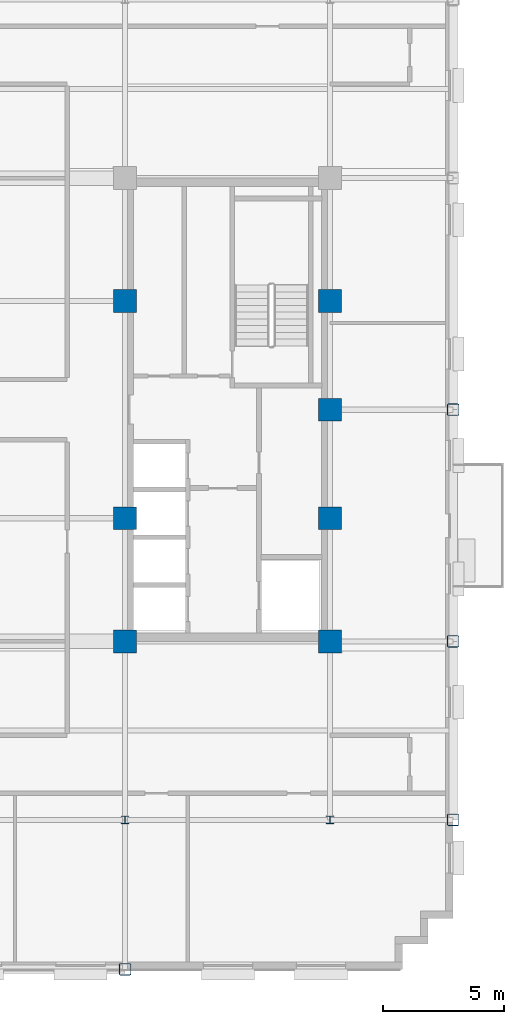
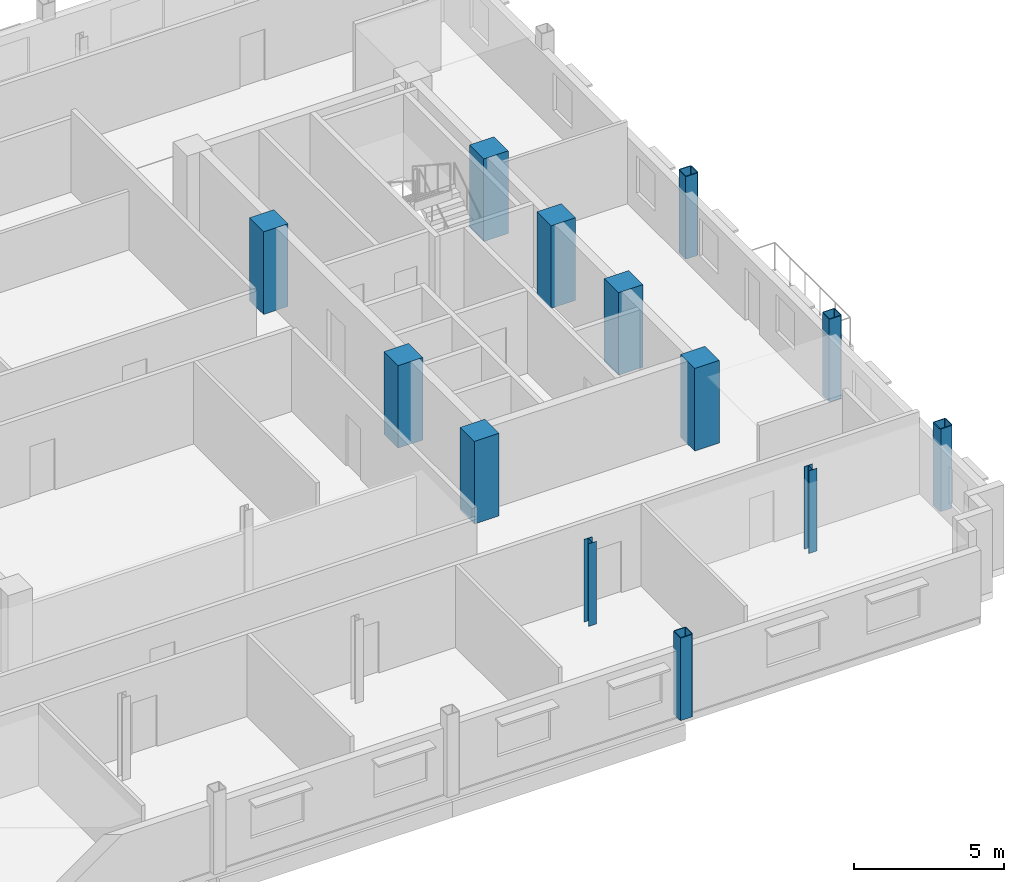
# One storey, part 2 of 15: 13 columns.
"""IFC4 building model written with IfcOpenShell, lengths in metres."""

from ifc_helpers import new_model, si_unit, direction, frame, origin, origin_2d, place, context, subcontext, project, spatial, rectangle, hollow_rectangle, i_section, extrude, material, material_profile, profile_set, type_object, element, save


model = new_model("IFC4")

# Units and contexts
model_context = context("Model", 3, precision=1e-05, world=origin(), true_north=direction((0.0, 1.0)))
body_context = subcontext(model_context, "Body", "Model", "MODEL_VIEW")
ifc_project = project(units=[si_unit("LENGTHUNIT", "METRE"), si_unit("AREAUNIT", "SQUARE_METRE"), si_unit("VOLUMEUNIT", "CUBIC_METRE"), si_unit("PLANEANGLEUNIT", "RADIAN"), si_unit("MASSUNIT", "GRAM", prefix="KILO")], contexts=[model_context])

# Site, building, storey
site_placement = place(None, origin())
site = spatial("IfcSite", under=ifc_project, at=site_placement, CompositionType="ELEMENT")
building_placement = place(site_placement, origin())
building = spatial("IfcBuilding", under=site, at=building_placement, Name="Nuvemarco Arch Tower", CompositionType="ELEMENT")
storey_placement = place(building_placement, frame((0.0, 0.0, 194.550048828125)))
storey = spatial("IfcBuildingStorey", under=building, at=storey_placement, Name="L51", CompositionType="ELEMENT", Elevation=194.550048828125)

# Columns
ifc_material_1 = material(Name="Concrete C50/60", Category="concrete")
ifc_material_profile_1 = material_profile(ifc_material_1, rectangle(XDim=0.949951171875, YDim=0.949951171875, at=origin_2d()), Name="RC-COL-950x950")
ifc_profile_set_1 = profile_set([ifc_material_profile_1], Name="Concrete C50/60")
column_type_1 = type_object("IfcColumnType", Name="COL-CORE-950", PredefinedType="COLUMN", material=ifc_profile_set_1)
for number, where, z_axis, x_axis, name in (
    (1, (9.0, -9.60009765625, 0.0), (0.0, 0.0, 1.0), (1.0, 0.0, 0.0), "L51 column CC_+9.0_-9.6"),
    (2, (9.0, -4.5, 0.0), (0.0, 0.0, 1.0), (1.0, 0.0, 0.0), "L51 column CC_+9.0_-4.5"),
    (3, (9.0, 4.5, 0.0), (0.0, 0.0, 1.0), (1.0, 0.0, 0.0), "L51 column CC_+9.0_+4.5"),
    (4, (17.5, -9.60009765625, 0.0), (0.0, 0.0, 1.0), (1.0, 0.0, 0.0), "L51 column CC_+17.5_-9.6"),
    (5, (17.5, -4.5, 0.0), (0.0, 0.0, 1.0), (1.0, 0.0, 0.0), "L51 column CC_+17.5_-4.5"),
    (6, (17.5, 4.5, 0.0), (0.0, 0.0, 1.0), (1.0, 0.0, 0.0), "L51 column CC_+17.5_+4.5"),
    (7, (17.5, 0.0, 0.0), (0.0, 0.0, 1.0), (1.0, 0.0, 0.0), "L51 column CC_+17.5_+0.0"),
):
    element("IfcColumn", number, at=place(storey_placement, frame(where, z_axis=z_axis, x_axis=x_axis)), inside=storey, type_object=column_type_1, Name=name, PredefinedType="COLUMN", context=body_context, shape_type="SweptSolid", body=[
        extrude(rectangle(XDim=0.949951171875, YDim=0.949951171875, at=origin_2d()), origin(), (0.0, 0.0, 1.0), 3.369873046875),
    ])
ifc_material_2 = material(Name="Steel S355", Category="steel")
ifc_material_profile_2 = material_profile(ifc_material_2, hollow_rectangle(XDim=0.5, YDim=0.5, WallThickness=0.031982421875, InnerFilletRadius=0.031982421875, OuterFilletRadius=0.06396484375, at=origin_2d()), Name="SHS500x500x32")
ifc_profile_set_2 = profile_set([ifc_material_profile_2], Name="Steel S355")
column_type_2 = type_object("IfcColumnType", Name="COL-EXO-500", PredefinedType="COLUMN", material=ifc_profile_set_2)
for number, where, z_axis, x_axis, name in (
    (8, (22.60009765625, -17.0, 0.0), (0.0, 0.0, 1.0), (1.0, 0.0, 0.0), "L51 column CX_+22.6_-17.0"),
    (9, (22.60009765625, -9.60009765625, 0.0), (0.0, 0.0, 1.0), (1.0, 0.0, 0.0), "L51 column CX_+22.6_-9.6"),
    (10, (22.60009765625, 0.0, 0.0), (0.0, 0.0, 1.0), (1.0, 0.0, 0.0), "L51 column CX_+22.6_+0.0"),
    (11, (9.0, -23.199951171875, 0.0), (0.0, 0.0, 1.0), (1.0, 0.0, 0.0), "L51 column CY_+9.0_-23.2"),
):
    element("IfcColumn", number, at=place(storey_placement, frame(where, z_axis=z_axis, x_axis=x_axis)), inside=storey, type_object=column_type_2, Name=name, PredefinedType="COLUMN", context=body_context, shape_type="SweptSolid", body=[
        extrude(hollow_rectangle(XDim=0.5, YDim=0.5, WallThickness=0.031982421875, InnerFilletRadius=0.031982421875, OuterFilletRadius=0.06396484375, at=origin_2d()), origin(), (0.0, 0.0, 1.0), 3.369873046875),
    ])
ifc_material_profile_3 = material_profile(ifc_material_2, i_section(OverallWidth=0.31005859375, OverallDepth=0.31005859375, WebThickness=0.015380859375, FlangeThickness=0.015380859375, FilletRadius=0.014892578125, at=origin_2d()), Name="HP310x110")
ifc_profile_set_3 = profile_set([ifc_material_profile_3], Name="Steel S355")
column_type_3 = type_object("IfcColumnType", Name="COL-STL-HP310", PredefinedType="COLUMN", material=ifc_profile_set_3)
for number, where, z_axis, x_axis, name in (
    (12, (9.0, -17.0, 0.0), (0.0, 0.0, 1.0), (1.0, 0.0, 0.0), "L51 column CI_+9.0_-17.0"),
    (13, (17.5, -17.0, 0.0), (0.0, 0.0, 1.0), (1.0, 0.0, 0.0), "L51 column CI_+17.5_-17.0"),
):
    element("IfcColumn", number, at=place(storey_placement, frame(where, z_axis=z_axis, x_axis=x_axis)), inside=storey, type_object=column_type_3, Name=name, PredefinedType="COLUMN", context=body_context, shape_type="SweptSolid", body=[
        extrude(i_section(OverallWidth=0.31005859375, OverallDepth=0.31005859375, WebThickness=0.015380859375, FlangeThickness=0.015380859375, FilletRadius=0.014892578125, at=origin_2d()), origin(), (0.0, 0.0, 1.0), 3.369873046875),
    ])

save(model, "model.ifc")
